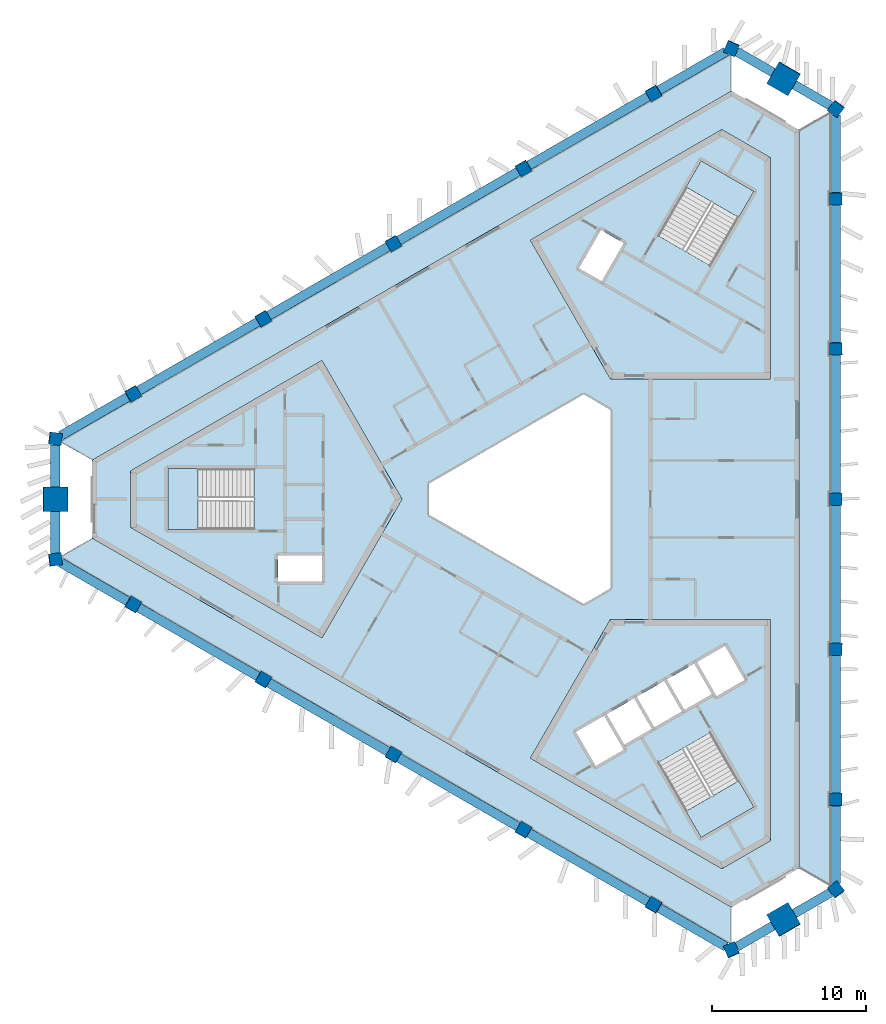
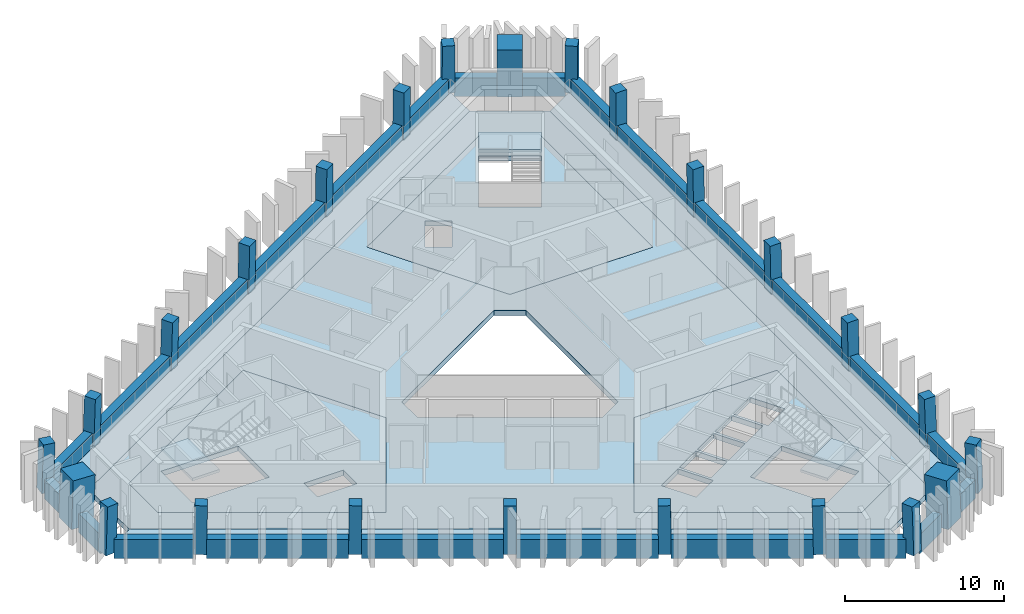
# One storey, part 1 of 9: 24 beams, 24 columns, 10 slabs, 3 elements without a shape of their own.
"""IFC4 building model written with IfcOpenShell, lengths in metres."""

from ifc_helpers import new_model, si_unit, direction, frame, origin, origin_2d, place, context, subcontext, project, spatial, polyline, rectangle, outline, extrude, material, layer, layer_set, material_profile, profile_set, type_object, element, aggregate, save


model = new_model("IFC4")

# Units and contexts
model_context = context("Model", 3, precision=1e-05, world=origin(), true_north=direction((0.0, 1.0)))
body_context = subcontext(model_context, "Body", "Model", "MODEL_VIEW")
ifc_project = project(units=[si_unit("LENGTHUNIT", "METRE"), si_unit("AREAUNIT", "SQUARE_METRE"), si_unit("VOLUMEUNIT", "CUBIC_METRE"), si_unit("PLANEANGLEUNIT", "RADIAN"), si_unit("MASSUNIT", "GRAM", prefix="KILO")], contexts=[model_context])

# Site, building, storey
site_placement = place(None, origin())
site = spatial("IfcSite", under=ifc_project, at=site_placement, CompositionType="ELEMENT")
building_placement = place(site_placement, origin())
building = spatial("IfcBuilding", under=site, at=building_placement, Name="Jabali Bay Hotel Tower and Convention Centre", CompositionType="ELEMENT")
storey_placement = place(building_placement, frame((0.0, 0.0, 273.800048828125)))
storey = spatial("IfcBuildingStorey", under=building, at=storey_placement, Name="L67", CompositionType="ELEMENT", Elevation=273.800048828125)

# Columns
ifc_material_1 = material(Name="Concrete C60", Category="concrete")
ifc_material_profile_1 = material_profile(ifc_material_1, rectangle(XDim=0.800048828125, YDim=0.800048828125, at=origin_2d()), Name="Frame column 800")
ifc_profile_set_1 = profile_set([ifc_material_profile_1], Name="Concrete C60")
column_type_1 = type_object("IfcColumnType", Name="Frame column 800", PredefinedType="COLUMN", material=ifc_profile_set_1)
column_1_placement = place(storey_placement, frame((82.30615234375, 106.30517578125, 0.0), z_axis=(-0.00837646992, -0.028097450282, 0.999570091609), x_axis=(0.86617163682, 0.499292783589, 0.021293469065)))
element("IfcColumn", 1, at=column_1_placement, inside=storey, type_object=column_type_1, Name="FC6 F1.1 L67", PredefinedType="COLUMN", context=body_context, shape_type="SweptSolid", body=[
    extrude(rectangle(XDim=0.800048828125, YDim=0.800048828125, at=origin_2d()), origin(), (0.0, 0.0, 1.0), 3.70166015625),
])
column_2_placement = place(storey_placement, frame((73.87109375, 101.435302734375, 0.0), z_axis=(0.000857578916, -0.022824792675, 0.999739112668), x_axis=(0.866054303765, 0.499836094294, 0.010668728649)))
element("IfcColumn", 2, at=column_2_placement, inside=storey, type_object=column_type_1, Name="FC6 F1.2 L67", PredefinedType="COLUMN", context=body_context, shape_type="SweptSolid", body=[
    extrude(rectangle(XDim=0.800048828125, YDim=0.800048828125, at=origin_2d()), origin(), (0.0, 0.0, 1.0), 3.700927734375),
])
column_3_placement = place(storey_placement, frame((65.43603515625, 96.565185546875, 0.0), z_axis=(0.010093620709, -0.017482414954, 0.999796221231), x_axis=(0.866020200589, 0.50000901209, 8.5616e-08)))
element("IfcColumn", 3, at=column_3_placement, inside=storey, type_object=column_type_1, Name="FC6 F1.3 L67", PredefinedType="COLUMN", context=body_context, shape_type="SweptSolid", body=[
    extrude(rectangle(XDim=0.800048828125, YDim=0.800048828125, at=origin_2d()), origin(), (0.0, 0.0, 1.0), 3.70068359375),
])
column_4_placement = place(storey_placement, frame((57.0009765625, 91.6953125, 0.0), z_axis=(0.019328516974, -0.012138044789, 0.999739504221), x_axis=(-0.500208848309, 0.865669585777, 0.020181088508)))
element("IfcColumn", 4, at=column_4_placement, inside=storey, type_object=column_type_1, Name="FC6 F1.4 L67", PredefinedType="COLUMN", context=body_context, shape_type="SweptSolid", body=[
    extrude(rectangle(XDim=0.800048828125, YDim=0.800048828125, at=origin_2d()), origin(), (0.0, 0.0, 1.0), 3.700927734375),
])
for number, where, z_axis, x_axis, name in (
    (5, (48.56591796875, 86.8251953125, 0.0), (0.02855911485, -0.006793507689, 0.999569019734), (-0.500407643461, 0.865554709988, 0.020180049142), "FC6 F1.5 L67"),
    (6, (48.56591796875, 73.1748046875, 0.0), (0.02855911485, 0.006793507689, 0.999569019734), (-0.865318766308, 0.500768301983, 0.021319953197), "FC6 F2.1 L67"),
):
    element("IfcColumn", number, at=place(storey_placement, frame(where, z_axis=z_axis, x_axis=x_axis)), inside=storey, type_object=column_type_1, Name=name, PredefinedType="COLUMN", context=body_context, shape_type="SweptSolid", body=[
        extrude(rectangle(XDim=0.800048828125, YDim=0.800048828125, at=origin_2d()), origin(), (0.0, 0.0, 1.0), 3.70166015625),
    ])
column_5_placement = place(storey_placement, frame((57.0009765625, 68.3046875, 0.0), z_axis=(0.019328516974, 0.012138044789, 0.999739504221), x_axis=(-0.865689041461, 0.500468616527, 0.010660551878)))
element("IfcColumn", 7, at=column_5_placement, inside=storey, type_object=column_type_1, Name="FC6 F2.2 L67", PredefinedType="COLUMN", context=body_context, shape_type="SweptSolid", body=[
    extrude(rectangle(XDim=0.800048828125, YDim=0.800048828125, at=origin_2d()), origin(), (0.0, 0.0, 1.0), 3.700927734375),
])
column_6_placement = place(storey_placement, frame((65.43603515625, 63.434814453125, 0.0), z_axis=(0.010093620709, 0.017482414954, 0.999796221231), x_axis=(-0.499907122366, -0.865843723195, 0.020187025824)))
element("IfcColumn", 8, at=column_6_placement, inside=storey, type_object=column_type_1, Name="FC6 F2.3 L67", PredefinedType="COLUMN", context=body_context, shape_type="SweptSolid", body=[
    extrude(rectangle(XDim=0.800048828125, YDim=0.800048828125, at=origin_2d()), origin(), (0.0, 0.0, 1.0), 3.70068359375),
])
column_7_placement = place(storey_placement, frame((73.87109375, 58.564697265625, 0.0), z_axis=(0.000857578916, 0.022824792675, 0.999739112668), x_axis=(-0.499949204908, -0.865819211891, 0.020196158824)))
element("IfcColumn", 9, at=column_7_placement, inside=storey, type_object=column_type_1, Name="FC6 F2.4 L67", PredefinedType="COLUMN", context=body_context, shape_type="SweptSolid", body=[
    extrude(rectangle(XDim=0.800048828125, YDim=0.800048828125, at=origin_2d()), origin(), (0.0, 0.0, 1.0), 3.700927734375),
])
for number, where, z_axis, x_axis, name in (
    (10, (82.30615234375, 53.69482421875, 0.0), (-0.00837646992, 0.028097450282, 0.999570091609), (-0.49967642562, -0.865977626468, 0.020154903518), "FC6 F2.5 L67"),
    (11, (94.1279296875, 60.52001953125, 0.0), (-0.020182659751, 0.021303918626, 0.999569308901), (0.000228267203, -0.99977282903, 0.021312865295), "FC6 F0.1 L67"),
):
    element("IfcColumn", number, at=place(storey_placement, frame(where, z_axis=z_axis, x_axis=x_axis)), inside=storey, type_object=column_type_1, Name=name, PredefinedType="COLUMN", context=body_context, shape_type="SweptSolid", body=[
        extrude(rectangle(XDim=0.800048828125, YDim=0.800048828125, at=origin_2d()), origin(), (0.0, 0.0, 1.0), 3.70166015625),
    ])
column_8_placement = place(storey_placement, frame((94.1279296875, 70.260009765625, 0.0), z_axis=(-0.020186088539, 0.010686752756, 0.999739123544), x_axis=(-0.001023376713, -0.999942568771, 0.010668264128)))
element("IfcColumn", 12, at=column_8_placement, inside=storey, type_object=column_type_1, Name="FC6 F0.2 L67", PredefinedType="COLUMN", context=body_context, shape_type="SweptSolid", body=[
    extrude(rectangle(XDim=0.800048828125, YDim=0.800048828125, at=origin_2d()), origin(), (0.0, 0.0, 1.0), 3.700927734375),
])
column_9_placement = place(storey_placement, frame((94.1279296875, 80.0, 0.0), z_axis=(-0.020187241331, 0.0, 0.99979621688), x_axis=(0.0, -1.0, 0.0)))
element("IfcColumn", 13, at=column_9_placement, inside=storey, type_object=column_type_1, Name="FC6 F0.3 L67", PredefinedType="COLUMN", context=body_context, shape_type="SweptSolid", body=[
    extrude(rectangle(XDim=0.800048828125, YDim=0.800048828125, at=origin_2d()), origin(), (0.0, 0.0, 1.0), 3.70068359375),
])
column_10_placement = place(storey_placement, frame((94.1279296875, 89.739990234375, 0.0), z_axis=(-0.020186088539, -0.010686752756, 0.999739123544), x_axis=(0.999795716399, 0.000807759214, 0.020195865801)))
element("IfcColumn", 14, at=column_10_placement, inside=storey, type_object=column_type_1, Name="FC6 F0.4 L67", PredefinedType="COLUMN", context=body_context, shape_type="SweptSolid", body=[
    extrude(rectangle(XDim=0.800048828125, YDim=0.800048828125, at=origin_2d()), origin(), (0.0, 0.0, 1.0), 3.700927734375),
])
column_11_placement = place(storey_placement, frame((94.1279296875, 99.47998046875, 0.0), z_axis=(-0.020182659751, -0.021303918626, 0.999569308901), x_axis=(0.999796283319, -0.000658319199, 0.020173211851)))
element("IfcColumn", 15, at=column_11_placement, inside=storey, type_object=column_type_1, Name="FC6 F0.5 L67", PredefinedType="COLUMN", context=body_context, shape_type="SweptSolid", body=[
    extrude(rectangle(XDim=0.800048828125, YDim=0.800048828125, at=origin_2d()), origin(), (0.0, 0.0, 1.0), 3.70166015625),
])
for number, where, z_axis, x_axis, name in (
    (16, (94.1279296875, 54.6904296875, 0.0), (-0.020178741915, 0.029015184452, 0.999375273581), (-0.797897490529, -0.602791557148, 0.001390409307), "FC6 V0 L67"),
    (17, (94.1279296875, 105.3095703125, 0.0), (-0.020178741915, -0.029015184452, 0.999375273581), (0.60245532032, 0.797370966177, 0.035314718122), "FC6 V1 L67"),
    (18, (87.354736328125, 109.219970703125, 0.0), (-0.015035141917, -0.031982648376, 0.99937533225), (0.921014032817, -0.389526916015, 0.001390342805), "FC6 V2 L67"),
    (19, (43.517333984375, 83.91064453125, 0.0), (0.03521388716, -0.002967462401, 0.999375393092), (-0.991770962514, 0.123058795966, 0.035311338819), "FC6 V3 L67"),
    (20, (43.517333984375, 76.08935546875, 0.0), (0.03521388716, 0.002967462401, 0.999375393092), (-0.123086717662, 0.992394945021, 0.001390335513), "FC6 V4 L67"),
    (21, (87.354736328125, 50.780029296875, 0.0), (-0.015035141917, 0.031982648376, 0.99937533225), (0.389239124268, -0.920459609056, 0.035313060424), "FC6 V5 L67"),
):
    element("IfcColumn", number, at=place(storey_placement, frame(where, z_axis=z_axis, x_axis=x_axis)), inside=storey, type_object=column_type_1, Name=name, PredefinedType="COLUMN", context=body_context, shape_type="SweptSolid", body=[
        extrude(rectangle(XDim=0.800048828125, YDim=0.800048828125, at=origin_2d()), origin(), (0.0, 0.0, 1.0), 3.7021484375),
    ])
ifc_material_2 = material(Name="Concrete C70", Category="concrete")
ifc_material_profile_2 = material_profile(ifc_material_2, rectangle(XDim=1.60009765625, YDim=1.60009765625, at=origin_2d()), Name="Mega column 1600")
ifc_profile_set_2 = profile_set([ifc_material_profile_2], Name="Concrete C70")
column_type_2 = type_object("IfcColumnType", Name="Mega column 1600", PredefinedType="COLUMN", material=ifc_profile_set_2)
for number, where, z_axis, x_axis, name in (
    (22, (90.7412109375, 107.2646484375, 0.0), (-0.017607037296, -0.030466109479, 0.999380712447), (0.86581098392, -0.500371202332, 2.457e-09), "MC6 M1 L67"),
    (23, (43.517333984375, 80.0, 0.0), (0.035214042205, 0.0, 0.999379793288), (0.0, 1.0, 0.0), "MC6 M0 L67"),
    (24, (90.7412109375, 52.7353515625, 0.0), (-0.017607037296, 0.030466109479, 0.999380712447), (0.500061328599, -0.865274797998, 0.035187946645), "MC6 M2 L67"),
):
    element("IfcColumn", number, at=place(storey_placement, frame(where, z_axis=z_axis, x_axis=x_axis)), inside=storey, type_object=column_type_2, Name=name, PredefinedType="COLUMN", context=body_context, shape_type="SweptSolid", body=[
        extrude(rectangle(XDim=1.60009765625, YDim=1.60009765625, at=origin_2d()), origin(), (0.0, 0.0, 1.0), 3.7021484375),
    ])

# Beams
ifc_material_profile_3 = material_profile(ifc_material_1, rectangle(XDim=0.60009765625, YDim=1.449951171875, at=origin_2d()), Name="Spandrel 600x1450")
ifc_profile_set_3 = profile_set([ifc_material_profile_3], Name="Concrete C60")
beam_type = type_object("IfcBeamType", Name="Spandrel 600x1450", PredefinedType="SPANDREL", material=ifc_profile_set_3)
beam_1_placement = place(storey_placement, frame((90.0419921875, 107.6533203125, 0.375), z_axis=(-0.866044551023, 0.499966834543, 0.0), x_axis=(-0.499966834543, -0.866044551023, 0.0)))
element("IfcBeam", 25, at=beam_1_placement, inside=storey, type_object=beam_type, Name="Spandrel M1-V2 L67", PredefinedType="SPANDREL", context=body_context, shape_type="SweptSolid", body=[
    extrude(rectangle(XDim=0.60009765625, YDim=1.449951171875, at=origin_2d()), origin(), (0.0, 0.0, 1.0), 2.709716796875),
])
beam_2_placement = place(storey_placement, frame((87.002685546875, 109.008056640625, 0.375), z_axis=(-0.866019781183, -0.500009738505, 0.0), x_axis=(0.500009738505, -0.866019781183, 0.0)))
element("IfcBeam", 26, at=beam_2_placement, inside=storey, type_object=beam_type, Name="Spandrel V2-F1.1 L67", PredefinedType="SPANDREL", context=body_context, shape_type="SweptSolid", body=[
    extrude(rectangle(XDim=0.60009765625, YDim=1.449951171875, at=origin_2d()), origin(), (0.0, 0.0, 1.0), 5.02685546875),
])
beam_3_placement = place(storey_placement, frame((81.95654296875, 106.0947265625, 0.375), z_axis=(-0.866023615414, -0.500003097536, 0.0), x_axis=(0.500003097536, -0.866023615414, 0.0)))
element("IfcBeam", 27, at=beam_3_placement, inside=storey, type_object=beam_type, Name="Spandrel F1.1-F1.2 L67", PredefinedType="SPANDREL", context=body_context, shape_type="SweptSolid", body=[
    extrude(rectangle(XDim=0.60009765625, YDim=1.449951171875, at=origin_2d()), origin(), (0.0, 0.0, 1.0), 8.93603515625),
])
for number, where, z_axis, x_axis, name in (
    (28, (73.525146484375, 101.226806640625, 0.375), (-0.866030445526, -0.499991267345, 0.0), (0.499991267345, -0.866030445526, 0.0), "Spandrel F1.2-F1.3 L67"),
    (29, (65.093505859375, 96.358642578125, 0.375), (-0.866030445526, -0.499991267345, 0.0), (0.499991267345, -0.866030445526, 0.0), "Spandrel F1.3-F1.4 L67"),
):
    element("IfcBeam", number, at=place(storey_placement, frame(where, z_axis=z_axis, x_axis=x_axis)), inside=storey, type_object=beam_type, Name=name, PredefinedType="SPANDREL", context=body_context, shape_type="SweptSolid", body=[
        extrude(rectangle(XDim=0.60009765625, YDim=1.449951171875, at=origin_2d()), origin(), (0.0, 0.0, 1.0), 8.936279296875),
    ])
beam_4_placement = place(storey_placement, frame((56.661865234375, 91.49072265625, 0.375), z_axis=(-0.866023615414, -0.500003097536, 0.0), x_axis=(0.500003097536, -0.866023615414, 0.0)))
element("IfcBeam", 30, at=beam_4_placement, inside=storey, type_object=beam_type, Name="Spandrel F1.4-F1.5 L67", PredefinedType="SPANDREL", context=body_context, shape_type="SweptSolid", body=[
    extrude(rectangle(XDim=0.60009765625, YDim=1.449951171875, at=origin_2d()), origin(), (0.0, 0.0, 1.0), 8.93603515625),
])
beam_5_placement = place(storey_placement, frame((48.230224609375, 86.622802734375, 0.375), z_axis=(-0.866019781183, -0.500009738505, 0.0), x_axis=(0.500009738505, -0.866019781183, 0.0)))
element("IfcBeam", 31, at=beam_5_placement, inside=storey, type_object=beam_type, Name="Spandrel F1.5-V3 L67", PredefinedType="SPANDREL", context=body_context, shape_type="SweptSolid", body=[
    extrude(rectangle(XDim=0.60009765625, YDim=1.449951171875, at=origin_2d()), origin(), (0.0, 0.0, 1.0), 5.02685546875),
])
for number, where, z_axis, x_axis, name in (
    (32, (43.530517578125, 83.509521484375, 0.375), (0.0, -1.0, 0.0), (1.0, 0.0, 0.0), "Spandrel V3-M0 L67"),
    (33, (43.530517578125, 79.199951171875, 0.375), (0.0, -1.0, 0.0), (1.0, 0.0, 0.0), "Spandrel M0-V4 L67"),
):
    element("IfcBeam", number, at=place(storey_placement, frame(where, z_axis=z_axis, x_axis=x_axis)), inside=storey, type_object=beam_type, Name=name, PredefinedType="SPANDREL", context=body_context, shape_type="SweptSolid", body=[
        extrude(rectangle(XDim=0.60009765625, YDim=1.449951171875, at=origin_2d()), origin(), (0.0, 0.0, 1.0), 2.70947265625),
    ])
beam_6_placement = place(storey_placement, frame((43.876953125, 75.890625, 0.375), z_axis=(0.866019781183, -0.500009738505, 0.0), x_axis=(0.500009738505, 0.866019781183, 0.0)))
element("IfcBeam", 34, at=beam_6_placement, inside=storey, type_object=beam_type, Name="Spandrel V4-F2.1 L67", PredefinedType="SPANDREL", context=body_context, shape_type="SweptSolid", body=[
    extrude(rectangle(XDim=0.60009765625, YDim=1.449951171875, at=origin_2d()), origin(), (0.0, 0.0, 1.0), 5.02685546875),
])
beam_7_placement = place(storey_placement, frame((48.923095703125, 72.977294921875, 0.375), z_axis=(0.866023615414, -0.500003097536, 0.0), x_axis=(0.500003097536, 0.866023615414, 0.0)))
element("IfcBeam", 35, at=beam_7_placement, inside=storey, type_object=beam_type, Name="Spandrel F2.1-F2.2 L67", PredefinedType="SPANDREL", context=body_context, shape_type="SweptSolid", body=[
    extrude(rectangle(XDim=0.60009765625, YDim=1.449951171875, at=origin_2d()), origin(), (0.0, 0.0, 1.0), 8.93603515625),
])
for number, where, z_axis, x_axis, name in (
    (36, (57.3544921875, 68.109375, 0.375), (0.866030445526, -0.499991267345, 0.0), (0.499991267345, 0.866030445526, 0.0), "Spandrel F2.2-F2.3 L67"),
    (37, (65.7861328125, 63.2412109375, 0.375), (0.866030445526, -0.499991267345, 0.0), (0.499991267345, 0.866030445526, 0.0), "Spandrel F2.3-F2.4 L67"),
):
    element("IfcBeam", number, at=place(storey_placement, frame(where, z_axis=z_axis, x_axis=x_axis)), inside=storey, type_object=beam_type, Name=name, PredefinedType="SPANDREL", context=body_context, shape_type="SweptSolid", body=[
        extrude(rectangle(XDim=0.60009765625, YDim=1.449951171875, at=origin_2d()), origin(), (0.0, 0.0, 1.0), 8.936279296875),
    ])
beam_8_placement = place(storey_placement, frame((74.2177734375, 58.373291015625, 0.375), z_axis=(0.866023615414, -0.500003097536, 0.0), x_axis=(0.500003097536, 0.866023615414, 0.0)))
element("IfcBeam", 38, at=beam_8_placement, inside=storey, type_object=beam_type, Name="Spandrel F2.4-F2.5 L67", PredefinedType="SPANDREL", context=body_context, shape_type="SweptSolid", body=[
    extrude(rectangle(XDim=0.60009765625, YDim=1.449951171875, at=origin_2d()), origin(), (0.0, 0.0, 1.0), 8.93603515625),
])
beam_9_placement = place(storey_placement, frame((82.6494140625, 53.50537109375, 0.375), z_axis=(0.866019781183, -0.500009738505, 0.0), x_axis=(0.500009738505, 0.866019781183, 0.0)))
element("IfcBeam", 39, at=beam_9_placement, inside=storey, type_object=beam_type, Name="Spandrel F2.5-V5 L67", PredefinedType="SPANDREL", context=body_context, shape_type="SweptSolid", body=[
    extrude(rectangle(XDim=0.60009765625, YDim=1.449951171875, at=origin_2d()), origin(), (0.0, 0.0, 1.0), 5.02685546875),
])
beam_10_placement = place(storey_placement, frame((87.6953125, 50.991943359375, 0.375), z_axis=(0.866044551023, 0.499966834543, 0.0), x_axis=(-0.499966834543, 0.866044551023, 0.0)))
element("IfcBeam", 40, at=beam_10_placement, inside=storey, type_object=beam_type, Name="Spandrel V5-M2 L67", PredefinedType="SPANDREL", context=body_context, shape_type="SweptSolid", body=[
    extrude(rectangle(XDim=0.60009765625, YDim=1.449951171875, at=origin_2d()), origin(), (0.0, 0.0, 1.0), 2.709716796875),
])
beam_11_placement = place(storey_placement, frame((91.427490234375, 53.146728515625, 0.375), z_axis=(0.866022026288, 0.50000584995, 0.0), x_axis=(-0.50000584995, 0.866022026288, 0.0)))
element("IfcBeam", 41, at=beam_11_placement, inside=storey, type_object=beam_type, Name="Spandrel M2-V0 L67", PredefinedType="SPANDREL", context=body_context, shape_type="SweptSolid", body=[
    extrude(rectangle(XDim=0.60009765625, YDim=1.449951171875, at=origin_2d()), origin(), (0.0, 0.0, 1.0), 2.70947265625),
])
beam_12_placement = place(storey_placement, frame((94.120361328125, 55.101318359375, 0.375), z_axis=(0.0, 1.0, 0.0), x_axis=(-1.0, 0.0, 0.0)))
element("IfcBeam", 42, at=beam_12_placement, inside=storey, type_object=beam_type, Name="Spandrel V0-F0.1 L67", PredefinedType="SPANDREL", context=body_context, shape_type="SweptSolid", body=[
    extrude(rectangle(XDim=0.60009765625, YDim=1.449951171875, at=origin_2d()), origin(), (0.0, 0.0, 1.0), 5.026611328125),
])
for number, where, z_axis, x_axis, name in (
    (43, (94.120361328125, 60.927978515625, 0.375), (0.0, 1.0, 0.0), (-1.0, 0.0, 0.0), "Spandrel F0.1-F0.2 L67"),
    (44, (94.120361328125, 70.6640625, 0.375), (0.0, 1.0, 0.0), (-1.0, 0.0, 0.0), "Spandrel F0.2-F0.3 L67"),
    (45, (94.120361328125, 80.39990234375, 0.375), (0.0, 1.0, 0.0), (-1.0, 0.0, 0.0), "Spandrel F0.3-F0.4 L67"),
    (46, (94.120361328125, 90.135986328125, 0.375), (0.0, 1.0, 0.0), (-1.0, 0.0, 0.0), "Spandrel F0.4-F0.5 L67"),
):
    element("IfcBeam", number, at=place(storey_placement, frame(where, z_axis=z_axis, x_axis=x_axis)), inside=storey, type_object=beam_type, Name=name, PredefinedType="SPANDREL", context=body_context, shape_type="SweptSolid", body=[
        extrude(rectangle(XDim=0.60009765625, YDim=1.449951171875, at=origin_2d()), origin(), (0.0, 0.0, 1.0), 8.93603515625),
    ])
beam_13_placement = place(storey_placement, frame((94.120361328125, 99.8720703125, 0.375), z_axis=(0.0, 1.0, 0.0), x_axis=(-1.0, 0.0, 0.0)))
element("IfcBeam", 47, at=beam_13_placement, inside=storey, type_object=beam_type, Name="Spandrel F0.5-V1 L67", PredefinedType="SPANDREL", context=body_context, shape_type="SweptSolid", body=[
    extrude(rectangle(XDim=0.60009765625, YDim=1.449951171875, at=origin_2d()), origin(), (0.0, 0.0, 1.0), 5.026611328125),
])
beam_14_placement = place(storey_placement, frame((93.77392578125, 105.49853515625, 0.375), z_axis=(-0.866022026288, 0.50000584995, 0.0), x_axis=(-0.50000584995, -0.866022026288, 0.0)))
element("IfcBeam", 48, at=beam_14_placement, inside=storey, type_object=beam_type, Name="Spandrel V1-M1 L67", PredefinedType="SPANDREL", context=body_context, shape_type="SweptSolid", body=[
    extrude(rectangle(XDim=0.60009765625, YDim=1.449951171875, at=origin_2d()), origin(), (0.0, 0.0, 1.0), 2.70947265625),
])

# Slabs
ifc_material_3 = material(Name="Concrete C40", Category="concrete")
ifc_layer_1 = layer(ifc_material_3, 0.39990234375)
ifc_layer_set_1 = layer_set([ifc_layer_1], Name="Concrete C40")
slab_type_1 = type_object("IfcSlabType", Name="Core floor slab 400", PredefinedType="FLOOR", material=ifc_layer_set_1)
slab_1_placement = place(storey_placement, frame((0.0, 0.0, -0.400146484375)))
element("IfcSlab", 49, at=slab_1_placement, inside=storey, type_object=slab_type_1, Name="Core floor slab 1 L67", PredefinedType="FLOOR", context=body_context, shape_type="SweptSolid", body=[
    extrude(outline(polyline([(66.0, 80.0), (60.81005859375, 88.9892578125), (48.39697265625, 81.82275390625), (48.39697265625, 78.17724609375), (60.81005859375, 71.0107421875), (66.0, 80.0)]), holes=[polyline([(60.800048828125, 76.35009765625), (57.949951171875, 76.35009765625), (57.949951171875, 74.64990234375), (60.800048828125, 74.64990234375), (60.800048828125, 76.35009765625)]), polyline([(50.820068359375, 81.97509765625), (50.820068359375, 78.02490234375), (56.409912109375, 78.02490234375), (56.409912109375, 81.97509765625), (50.820068359375, 81.97509765625)])]), origin(), (0.0, 0.0, 1.0), 0.400146484375),
])
slab_2_placement = place(storey_placement, frame((0.0, 0.0, -0.400146484375)))
element("IfcSlab", 50, at=slab_2_placement, inside=storey, type_object=slab_type_1, Name="Core floor slab 2 L67", PredefinedType="FLOOR", context=body_context, shape_type="SweptSolid", body=[
    extrude(outline(polyline([(79.5, 87.794189453125), (89.8798828125, 87.794189453125), (89.8798828125, 102.127685546875), (86.72314453125, 103.9501953125), (74.31005859375, 96.78369140625), (79.5, 87.794189453125)]), holes=[polyline([(78.93896484375, 94.12255859375), (80.364013671875, 96.5908203125), (78.891845703125, 97.440673828125), (77.466796875, 94.97265625), (78.93896484375, 94.12255859375)]), polyline([(88.80029296875, 99.952880859375), (85.379638671875, 101.927978515625), (82.584716796875, 97.0869140625), (86.00537109375, 95.11181640625), (88.80029296875, 99.952880859375)])]), origin(), (0.0, 0.0, 1.0), 0.400146484375),
])
slab_3_placement = place(storey_placement, frame((0.0, 0.0, -0.400146484375)))
element("IfcSlab", 51, at=slab_3_placement, inside=storey, type_object=slab_type_1, Name="Core floor slab 3 L67", PredefinedType="FLOOR", context=body_context, shape_type="SweptSolid", body=[
    extrude(outline(polyline([(79.5, 72.205810546875), (74.31005859375, 63.21630859375), (86.72314453125, 56.0498046875), (89.8798828125, 57.872314453125), (89.8798828125, 72.205810546875), (79.5, 72.205810546875)]), holes=[polyline([(82.584716796875, 62.9130859375), (85.379638671875, 58.072021484375), (88.80029296875, 60.047119140625), (86.00537109375, 64.88818359375), (82.584716796875, 62.9130859375)]), polyline([(80.365478515625, 63.756591796875), (79.090576171875, 65.96484375), (77.27197265625, 64.9150390625), (78.546875, 62.70654296875), (80.365478515625, 63.756591796875)]), polyline([(82.17919921875, 65.115478515625), (81.0390625, 67.08984375), (79.263671875, 66.06494140625), (80.40380859375, 64.09033203125), (82.17919921875, 65.115478515625)]), polyline([(82.98779296875, 68.21484375), (81.21240234375, 67.18994140625), (82.352294921875, 65.21533203125), (84.127685546875, 66.240478515625), (82.98779296875, 68.21484375)]), polyline([(86.076171875, 67.365478515625), (84.936279296875, 69.33984375), (83.160888671875, 68.31494140625), (84.30078125, 66.34033203125), (86.076171875, 67.365478515625)]), polyline([(88.203125, 68.281494140625), (86.927978515625, 70.489990234375), (85.109375, 69.43994140625), (86.384521484375, 67.231689453125), (88.203125, 68.281494140625)])]), origin(), (0.0, 0.0, 1.0), 0.400146484375),
])
ifc_layer_2 = layer(ifc_material_3, 0.199951171875)
ifc_layer_set_2 = layer_set([ifc_layer_2], Name="Concrete C40")
slab_type_2 = type_object("IfcSlabType", Name="Loggia slab 200", PredefinedType="FLOOR", material=ifc_layer_set_2)
slab_4_placement = place(storey_placement, frame((0.0, 0.0, -0.199951171875)))
element("IfcSlab", 52, at=slab_4_placement, inside=storey, type_object=slab_type_2, Name="Loggia slab east face L67", PredefinedType="FLOOR", context=body_context, shape_type="SweptSolid", body=[
    extrude(outline(polyline([(91.72802734375, 103.923828125), (93.751953125, 105.09228515625), (93.827880859375, 105.034912109375), (93.827880859375, 99.8798828125), (93.72802734375, 99.8798828125), (93.72802734375, 99.080078125), (93.827880859375, 99.080078125), (93.827880859375, 90.139892578125), (93.72802734375, 90.139892578125), (93.72802734375, 89.340087890625), (93.827880859375, 89.340087890625), (93.827880859375, 80.39990234375), (93.72802734375, 80.39990234375), (93.72802734375, 79.60009765625), (93.827880859375, 79.60009765625), (93.827880859375, 70.659912109375), (93.72802734375, 70.659912109375), (93.72802734375, 69.860107421875), (93.827880859375, 69.860107421875), (93.827880859375, 60.919921875), (93.72802734375, 60.919921875), (93.72802734375, 60.1201171875), (93.827880859375, 60.1201171875), (93.827880859375, 54.965087890625), (93.751953125, 54.90771484375), (91.72802734375, 56.076171875), (91.72802734375, 103.923828125)])), origin(), (0.0, 0.0, 1.0), 0.199951171875),
])
slab_5_placement = place(storey_placement, frame((0.0, 0.0, -0.199951171875)))
element("IfcSlab", 53, at=slab_5_placement, inside=storey, type_object=slab_type_2, Name="Loggia slab north-west face L67", PredefinedType="FLOOR", context=body_context, shape_type="SweptSolid", body=[
    extrude(outline(polyline([(45.91748046875, 82.52490234375), (43.8935546875, 83.693359375), (43.9052734375, 83.7880859375), (48.369384765625, 86.365478515625), (48.41943359375, 86.27880859375), (49.1123046875, 86.678955078125), (49.062255859375, 86.765380859375), (56.804443359375, 91.2353515625), (56.8544921875, 91.14892578125), (57.54736328125, 91.548828125), (57.497314453125, 91.635498046875), (65.239501953125, 96.10546875), (65.28955078125, 96.018798828125), (65.982421875, 96.4189453125), (65.932373046875, 96.50537109375), (73.6748046875, 100.9755859375), (73.724609375, 100.888916015625), (74.41748046875, 101.288818359375), (74.367431640625, 101.37548828125), (82.10986328125, 105.845458984375), (82.159912109375, 105.7587890625), (82.8525390625, 106.158935546875), (82.802734375, 106.245361328125), (87.266845703125, 108.82275390625), (87.354736328125, 108.78564453125), (87.354736328125, 106.44873046875), (45.91748046875, 82.52490234375)])), origin(), (0.0, 0.0, 1.0), 0.199951171875),
])
slab_6_placement = place(storey_placement, frame((0.0, 0.0, -0.199951171875)))
element("IfcSlab", 54, at=slab_6_placement, inside=storey, type_object=slab_type_2, Name="Loggia slab south-west face L67", PredefinedType="FLOOR", context=body_context, shape_type="SweptSolid", body=[
    extrude(outline(polyline([(87.354736328125, 53.55126953125), (87.354736328125, 51.21435546875), (87.266845703125, 51.17724609375), (82.802734375, 53.754638671875), (82.8525390625, 53.841064453125), (82.159912109375, 54.2412109375), (82.10986328125, 54.154541015625), (74.367431640625, 58.62451171875), (74.41748046875, 58.711181640625), (73.724609375, 59.111083984375), (73.6748046875, 59.0244140625), (65.932373046875, 63.49462890625), (65.982421875, 63.5810546875), (65.28955078125, 63.981201171875), (65.239501953125, 63.89453125), (57.497314453125, 68.364501953125), (57.54736328125, 68.451171875), (56.8544921875, 68.85107421875), (56.804443359375, 68.7646484375), (49.062255859375, 73.234619140625), (49.1123046875, 73.321044921875), (48.41943359375, 73.72119140625), (48.369384765625, 73.634521484375), (43.9052734375, 76.2119140625), (43.8935546875, 76.306640625), (45.91748046875, 77.47509765625), (87.354736328125, 53.55126953125)])), origin(), (0.0, 0.0, 1.0), 0.199951171875),
])
ifc_layer_3 = layer(ifc_material_3, 0.39990234375)
ifc_layer_set_3 = layer_set([ifc_layer_3], Name="Concrete C40")
slab_type_3 = type_object("IfcSlabType", Name="Post-tensioned flat slab 400", PredefinedType="FLOOR", material=ifc_layer_set_3)
slab_7_placement = place(storey_placement, frame((0.0, 0.0, -0.400146484375)))
element("IfcSlab", 55, at=slab_7_placement, inside=storey, type_object=slab_type_3, Name="Floor slab L67", PredefinedType="FLOOR", context=body_context, shape_type="SweptSolid", body=[
    extrude(outline(polyline([(87.354736328125, 106.44873046875), (91.72802734375, 103.923828125), (91.72802734375, 56.076171875), (87.354736328125, 53.55126953125), (45.91748046875, 77.47509765625), (45.91748046875, 82.52490234375), (87.354736328125, 106.44873046875)]), holes=[polyline([(67.73193359375, 79.0), (77.76806640625, 73.205810546875), (79.5, 74.205810546875), (79.5, 85.794189453125), (77.76806640625, 86.794189453125), (67.73193359375, 81.0), (67.73193359375, 79.0)]), polyline([(48.39697265625, 78.17724609375), (60.81005859375, 71.0107421875), (66.0, 80.0), (60.81005859375, 88.9892578125), (48.39697265625, 81.82275390625), (48.39697265625, 78.17724609375)]), polyline([(89.8798828125, 102.127685546875), (86.72314453125, 103.9501953125), (74.31005859375, 96.78369140625), (79.5, 87.794189453125), (89.8798828125, 87.794189453125), (89.8798828125, 102.127685546875)]), polyline([(74.31005859375, 63.21630859375), (86.72314453125, 56.0498046875), (89.8798828125, 57.872314453125), (89.8798828125, 72.205810546875), (79.5, 72.205810546875), (74.31005859375, 63.21630859375)])]), origin(), (0.0, 0.0, 1.0), 0.400146484375),
])

# Stair, slab
stair_type = type_object("IfcStairType", Name="Exit stair 1900", PredefinedType="HALF_TURN_STAIR", material=ifc_material_3)
stair_1_placement = place(storey_placement, origin())
stair_1 = element("IfcStair", 56, at=stair_1_placement, inside=storey, type_object=stair_type, Name="L67 Exit Stair 1", PredefinedType="HALF_TURN_STAIR")
ifc_layer_4 = layer(ifc_material_3, 0.199951171875)
ifc_layer_set_4 = layer_set([ifc_layer_4], Name="Concrete C40")
slab_type_4 = type_object("IfcSlabType", Name="Stair landing 200", PredefinedType="LANDING", material=ifc_layer_set_4)
slab_8_placement = place(storey_placement, frame((0.0, 0.0, 1.64990234375)))
slab_8 = element("IfcSlab", 57, at=slab_8_placement, type_object=slab_type_4, Name="ST1 landing 1", PredefinedType="LANDING", context=body_context, shape_type="SweptSolid", body=[
    extrude(outline(polyline([(52.782958984375, 81.97509765625), (50.820068359375, 81.97509765625), (50.820068359375, 78.02490234375), (52.782958984375, 78.02490234375), (52.782958984375, 81.97509765625)])), origin(), (0.0, 0.0, 1.0), 0.199951171875),
])
aggregate(stair_1, [slab_8])

stair_2_placement = place(storey_placement, origin())
stair_2 = element("IfcStair", 58, at=stair_2_placement, inside=storey, type_object=stair_type, Name="L67 Exit Stair 2", PredefinedType="HALF_TURN_STAIR")
slab_9_placement = place(storey_placement, frame((0.0, 0.0, 1.64990234375)))
slab_9 = element("IfcSlab", 59, at=slab_9_placement, type_object=slab_type_4, Name="ST2 landing 1", PredefinedType="LANDING", context=body_context, shape_type="SweptSolid", body=[
    extrude(outline(polyline([(87.81884765625, 98.2529296875), (88.80029296875, 99.952880859375), (85.379638671875, 101.927978515625), (84.398193359375, 100.22802734375), (87.81884765625, 98.2529296875)])), origin(), (0.0, 0.0, 1.0), 0.199951171875),
])
aggregate(stair_2, [slab_9])

stair_3_placement = place(storey_placement, origin())
stair_3 = element("IfcStair", 60, at=stair_3_placement, inside=storey, type_object=stair_type, Name="L67 Exit Stair 3", PredefinedType="HALF_TURN_STAIR")
slab_10_placement = place(storey_placement, frame((0.0, 0.0, 1.64990234375)))
slab_10 = element("IfcSlab", 61, at=slab_10_placement, type_object=slab_type_4, Name="ST3 landing 1", PredefinedType="LANDING", context=body_context, shape_type="SweptSolid", body=[
    extrude(outline(polyline([(84.398193359375, 59.77197265625), (85.379638671875, 58.072021484375), (88.80029296875, 60.047119140625), (87.81884765625, 61.7470703125), (84.398193359375, 59.77197265625)])), origin(), (0.0, 0.0, 1.0), 0.199951171875),
])
aggregate(stair_3, [slab_10])

save(model, "model.ifc")
